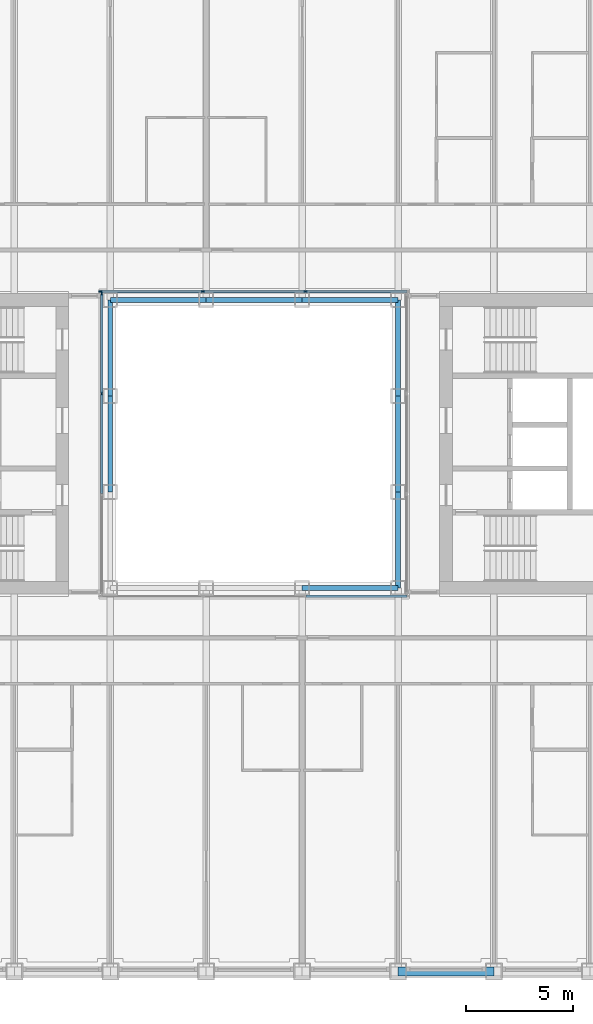
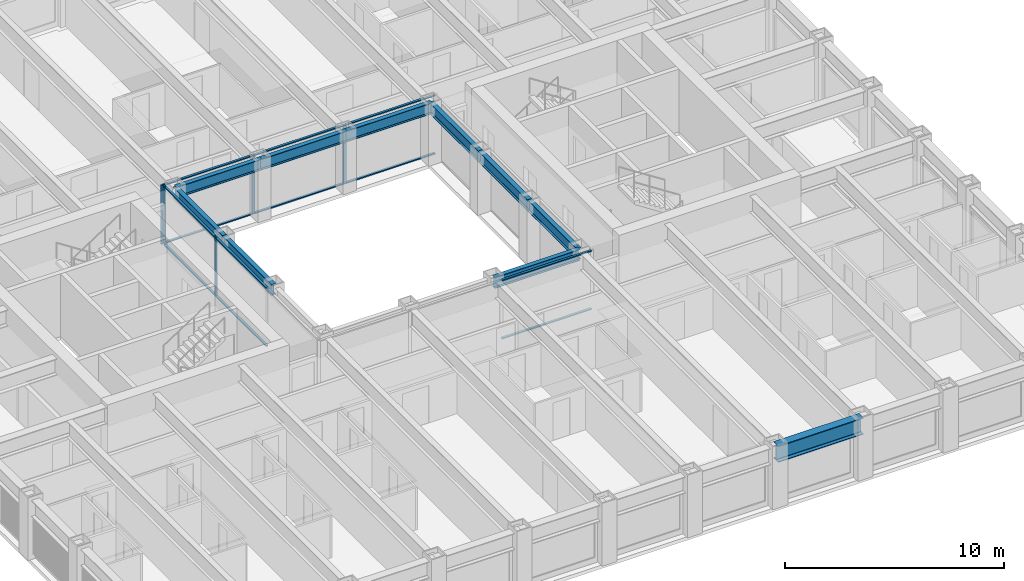
# One storey, part 4 of 21: 17 members, 10 beams, 3 elements without a shape of their own.
"""IFC4 building model written with IfcOpenShell, lengths in metres."""

from ifc_helpers import new_model, si_unit, direction, frame, origin, origin_2d, place, context, subcontext, project, spatial, rectangle, i_section, extrude, material, material_profile, profile_set, type_object, element, aggregate, save


model = new_model("IFC4")

# Units and contexts
model_context = context("Model", 3, precision=1e-05, world=origin(), true_north=direction((0.0, 1.0)))
body_context = subcontext(model_context, "Body", "Model", "MODEL_VIEW")
ifc_project = project(units=[si_unit("LENGTHUNIT", "METRE"), si_unit("AREAUNIT", "SQUARE_METRE"), si_unit("VOLUMEUNIT", "CUBIC_METRE"), si_unit("PLANEANGLEUNIT", "RADIAN"), si_unit("MASSUNIT", "GRAM", prefix="KILO")], contexts=[model_context])

# Site, building, storey
site_placement = place(None, origin())
site = spatial("IfcSite", under=ifc_project, at=site_placement, CompositionType="ELEMENT")
building_placement = place(site_placement, origin())
building = spatial("IfcBuilding", under=site, at=building_placement, Name="Msasa Ring Tower", CompositionType="ELEMENT")
storey_placement = place(building_placement, frame((0.0, 0.0, 86.0)))
storey = spatial("IfcBuildingStorey", under=building, at=storey_placement, Name="L22", CompositionType="ELEMENT", Elevation=86.0)

# Curtain wall, members
ifc_material_1 = material(Name="Aluminium curtain wall with clear glass", Category="aluminium")
curtain_wall_type = type_object("IfcCurtainWallType", Name="CW-W LIGHT WELL CURTAIN WALL", PredefinedType="NOTDEFINED", material=ifc_material_1)
curtain_wall_1_placement = place(storey_placement, origin())
curtain_wall_1 = element("IfcCurtainWall", 1, at=curtain_wall_1_placement, inside=storey, type_object=curtain_wall_type, Name="Light well curtain wall N L22", PredefinedType="NOTDEFINED")
ifc_material_2 = material(Name="Aluminium mullion", Category="aluminium")
ifc_material_profile_1 = material_profile(ifc_material_2, rectangle(XDim=0.06005859375, YDim=0.159912109375, at=origin_2d()), Name="AL 60x160")
ifc_profile_set_1 = profile_set([ifc_material_profile_1], Name="Aluminium mullion")
member_type_1 = type_object("IfcMemberType", Name="CW-W MULLION 60x160", PredefinedType="MULLION", material=ifc_profile_set_1)
member_1_placement = place(storey_placement, frame((-7.199951171875, 7.14990234375, 0.0), z_axis=(0.0, 0.0, 1.0), x_axis=(0.0, 1.0, 0.0)))
member_1 = element("IfcMember", 2, at=member_1_placement, type_object=member_type_1, Name="CW-W mullion 1", PredefinedType="MULLION", context=body_context, shape_type="SweptSolid", body=[
    extrude(rectangle(XDim=0.06005859375, YDim=0.159912109375, at=origin_2d()), origin(), (0.0, 0.0, 1.0), 3.300048828125),
])
member_2_placement = place(storey_placement, frame((-2.409912109375, 7.14990234375, 0.0), z_axis=(0.0, 0.0, 1.0), x_axis=(0.0, 1.0, 0.0)))
member_2 = element("IfcMember", 3, at=member_2_placement, type_object=member_type_1, Name="CW-W mullion 2", PredefinedType="MULLION", context=body_context, shape_type="SweptSolid", body=[
    extrude(rectangle(XDim=0.06005859375, YDim=0.159912109375, at=origin_2d()), origin(), (0.0, 0.0, 1.0), 3.300048828125),
])
member_3_placement = place(storey_placement, frame((2.409912109375, 7.14990234375, 0.0), z_axis=(0.0, 0.0, 1.0), x_axis=(0.0, 1.0, 0.0)))
member_3 = element("IfcMember", 4, at=member_3_placement, type_object=member_type_1, Name="CW-W mullion 3", PredefinedType="MULLION", context=body_context, shape_type="SweptSolid", body=[
    extrude(rectangle(XDim=0.06005859375, YDim=0.159912109375, at=origin_2d()), origin(), (0.0, 0.0, 1.0), 3.300048828125),
])

curtain_wall_2_placement = place(storey_placement, origin())
curtain_wall_2 = element("IfcCurtainWall", 5, at=curtain_wall_2_placement, inside=storey, type_object=curtain_wall_type, Name="Light well curtain wall W L22", PredefinedType="NOTDEFINED")
member_4_placement = place(storey_placement, frame((-7.14990234375, 2.356689453125, 0.0), z_axis=(0.0, 0.0, 1.0), x_axis=(-1.0, 0.0, 0.0)))
member_4 = element("IfcMember", 6, at=member_4_placement, type_object=member_type_1, Name="CW-W mullion 3", PredefinedType="MULLION", context=body_context, shape_type="SweptSolid", body=[
    extrude(rectangle(XDim=0.06005859375, YDim=0.159912109375, at=origin_2d()), origin(), (0.0, 0.0, 1.0), 3.300048828125),
])
member_5_placement = place(storey_placement, frame((-7.14990234375, 7.0400390625, 0.0), z_axis=(0.0, 0.0, 1.0), x_axis=(-1.0, 0.0, 0.0)))
member_5 = element("IfcMember", 7, at=member_5_placement, type_object=member_type_1, Name="CW-W mullion 4", PredefinedType="MULLION", context=body_context, shape_type="SweptSolid", body=[
    extrude(rectangle(XDim=0.06005859375, YDim=0.159912109375, at=origin_2d()), origin(), (0.0, 0.0, 1.0), 3.300048828125),
])

# Member
ifc_material_3 = material(Name="Aluminium transom", Category="aluminium")
ifc_material_profile_2 = material_profile(ifc_material_3, rectangle(XDim=0.1201171875, YDim=0.06005859375, at=origin_2d()), Name="AL 60x120")
ifc_profile_set_2 = profile_set([ifc_material_profile_2], Name="Aluminium transom")
member_type_2 = type_object("IfcMemberType", Name="CW-W TRANSOM 60x120", PredefinedType="USERDEFINED", material=ifc_profile_set_2)
member_6_placement = place(storey_placement, frame((-7.169921875, 7.14990234375, 0.030029296875), z_axis=(1.0, 0.0, 0.0), x_axis=(0.0, 1.0, 0.0)))
member_6 = element("IfcMember", 8, at=member_6_placement, type_object=member_type_2, Name="CW-W transom 1.1", ObjectType="TRANSOM", PredefinedType="USERDEFINED", context=body_context, shape_type="SweptSolid", body=[
    extrude(rectangle(XDim=0.1201171875, YDim=0.06005859375, at=origin_2d()), origin(), (0.0, 0.0, 1.0), 4.72998046875),
])

member_7_placement = place(storey_placement, frame((-7.169921875, 7.14990234375, 3.27001953125), z_axis=(1.0, 0.0, 0.0), x_axis=(0.0, 1.0, 0.0)))
member_7 = element("IfcMember", 9, at=member_7_placement, type_object=member_type_2, Name="CW-W transom 1.2", ObjectType="TRANSOM", PredefinedType="USERDEFINED", context=body_context, shape_type="SweptSolid", body=[
    extrude(rectangle(XDim=0.1201171875, YDim=0.06005859375, at=origin_2d()), origin(), (0.0, 0.0, 1.0), 4.72998046875),
])

member_8_placement = place(storey_placement, frame((-2.3798828125, 7.14990234375, 0.030029296875), z_axis=(1.0, 0.0, 0.0), x_axis=(0.0, 1.0, 0.0)))
member_8 = element("IfcMember", 10, at=member_8_placement, type_object=member_type_2, Name="CW-W transom 2.1", ObjectType="TRANSOM", PredefinedType="USERDEFINED", context=body_context, shape_type="SweptSolid", body=[
    extrude(rectangle(XDim=0.1201171875, YDim=0.06005859375, at=origin_2d()), origin(), (0.0, 0.0, 1.0), 4.759765625),
])

member_9_placement = place(storey_placement, frame((-2.3798828125, 7.14990234375, 3.27001953125), z_axis=(1.0, 0.0, 0.0), x_axis=(0.0, 1.0, 0.0)))
member_9 = element("IfcMember", 11, at=member_9_placement, type_object=member_type_2, Name="CW-W transom 2.2", ObjectType="TRANSOM", PredefinedType="USERDEFINED", context=body_context, shape_type="SweptSolid", body=[
    extrude(rectangle(XDim=0.1201171875, YDim=0.06005859375, at=origin_2d()), origin(), (0.0, 0.0, 1.0), 4.759765625),
])

member_10_placement = place(storey_placement, frame((2.43994140625, 7.14990234375, 0.030029296875), z_axis=(1.0, 0.0, 0.0), x_axis=(0.0, 1.0, 0.0)))
member_10 = element("IfcMember", 12, at=member_10_placement, type_object=member_type_2, Name="CW-W transom 3.1", ObjectType="TRANSOM", PredefinedType="USERDEFINED", context=body_context, shape_type="SweptSolid", body=[
    extrude(rectangle(XDim=0.1201171875, YDim=0.06005859375, at=origin_2d()), origin(), (0.0, 0.0, 1.0), 4.72998046875),
])

member_11_placement = place(storey_placement, frame((2.43994140625, 7.14990234375, 3.27001953125), z_axis=(1.0, 0.0, 0.0), x_axis=(0.0, 1.0, 0.0)))
member_11 = element("IfcMember", 13, at=member_11_placement, type_object=member_type_2, Name="CW-W transom 3.2", ObjectType="TRANSOM", PredefinedType="USERDEFINED", context=body_context, shape_type="SweptSolid", body=[
    extrude(rectangle(XDim=0.1201171875, YDim=0.06005859375, at=origin_2d()), origin(), (0.0, 0.0, 1.0), 4.72998046875),
])

aggregate(curtain_wall_1, [member_1, member_2, member_3, member_6, member_7, member_8, member_9, member_10, member_11])

# Curtain wall, members
curtain_wall_3_placement = place(storey_placement, origin())
curtain_wall_3 = element("IfcCurtainWall", 14, at=curtain_wall_3_placement, inside=storey, type_object=curtain_wall_type, Name="Light well curtain wall S L22", PredefinedType="NOTDEFINED")
member_12_placement = place(storey_placement, frame((2.43994140625, -7.14990234375, 0.030029296875), z_axis=(1.0, 0.0, 0.0), x_axis=(0.0, 1.0, 0.0)))
member_12 = element("IfcMember", 15, at=member_12_placement, type_object=member_type_2, Name="CW-W transom 3.1", ObjectType="TRANSOM", PredefinedType="USERDEFINED", context=body_context, shape_type="SweptSolid", body=[
    extrude(rectangle(XDim=0.1201171875, YDim=0.06005859375, at=origin_2d()), origin(), (0.0, 0.0, 1.0), 4.72998046875),
])
member_13_placement = place(storey_placement, frame((2.43994140625, -7.14990234375, 3.27001953125), z_axis=(1.0, 0.0, 0.0), x_axis=(0.0, 1.0, 0.0)))
member_13 = element("IfcMember", 16, at=member_13_placement, type_object=member_type_2, Name="CW-W transom 3.2", ObjectType="TRANSOM", PredefinedType="USERDEFINED", context=body_context, shape_type="SweptSolid", body=[
    extrude(rectangle(XDim=0.1201171875, YDim=0.06005859375, at=origin_2d()), origin(), (0.0, 0.0, 1.0), 4.72998046875),
])
aggregate(curtain_wall_3, [member_12, member_13])

# Member
member_14_placement = place(storey_placement, frame((-7.14990234375, -2.32666015625, 0.030029296875), z_axis=(0.0, 1.0, 0.0), x_axis=(-1.0, 0.0, 0.0)))
member_14 = element("IfcMember", 17, at=member_14_placement, type_object=member_type_2, Name="CW-W transom 2.1", ObjectType="TRANSOM", PredefinedType="USERDEFINED", context=body_context, shape_type="SweptSolid", body=[
    extrude(rectangle(XDim=0.1201171875, YDim=0.06005859375, at=origin_2d()), origin(), (0.0, 0.0, 1.0), 4.6533203125),
])

member_15_placement = place(storey_placement, frame((-7.14990234375, -2.32666015625, 3.27001953125), z_axis=(0.0, 1.0, 0.0), x_axis=(-1.0, 0.0, 0.0)))
member_15 = element("IfcMember", 18, at=member_15_placement, type_object=member_type_2, Name="CW-W transom 2.2", ObjectType="TRANSOM", PredefinedType="USERDEFINED", context=body_context, shape_type="SweptSolid", body=[
    extrude(rectangle(XDim=0.1201171875, YDim=0.06005859375, at=origin_2d()), origin(), (0.0, 0.0, 1.0), 4.6533203125),
])

member_16_placement = place(storey_placement, frame((-7.14990234375, 2.38671875, 0.030029296875), z_axis=(0.0, 1.0, 0.0), x_axis=(-1.0, 0.0, 0.0)))
member_16 = element("IfcMember", 19, at=member_16_placement, type_object=member_type_2, Name="CW-W transom 3.1", ObjectType="TRANSOM", PredefinedType="USERDEFINED", context=body_context, shape_type="SweptSolid", body=[
    extrude(rectangle(XDim=0.1201171875, YDim=0.06005859375, at=origin_2d()), origin(), (0.0, 0.0, 1.0), 4.623291015625),
])

member_17_placement = place(storey_placement, frame((-7.14990234375, 2.38671875, 3.27001953125), z_axis=(0.0, 1.0, 0.0), x_axis=(-1.0, 0.0, 0.0)))
member_17 = element("IfcMember", 20, at=member_17_placement, type_object=member_type_2, Name="CW-W transom 3.2", ObjectType="TRANSOM", PredefinedType="USERDEFINED", context=body_context, shape_type="SweptSolid", body=[
    extrude(rectangle(XDim=0.1201171875, YDim=0.06005859375, at=origin_2d()), origin(), (0.0, 0.0, 1.0), 4.623291015625),
])

aggregate(curtain_wall_2, [member_4, member_5, member_14, member_15, member_16, member_17])

# Beams
ifc_material_4 = material(Name="Steel S355", Category="steel")
ifc_material_profile_3 = material_profile(ifc_material_4, i_section(OverallWidth=0.230224609375, OverallDepth=0.6171875, WebThickness=0.01318359375, FlangeThickness=0.022216796875, FilletRadius=0.0126953125, at=origin_2d()), Name="UB 610x229x140")
ifc_profile_set_3 = profile_set([ifc_material_profile_3], Name="Steel S355")
beam_type_1 = type_object("IfcBeamType", Name="RB1 UB 610x229x140", PredefinedType="BEAM", material=ifc_profile_set_3)
for number, where, z_axis, x_axis, name in (
    (21, (2.25, -6.75, 2.991455078125), (1.0, 0.0, 0.0), (0.0, 1.0, 0.0), "Inner ring beam IR+2.25-6.75 under L23"),
    (22, (6.75, -6.75, 2.991455078125), (0.0, 1.0, 0.0), (-1.0, 0.0, 0.0), "Inner ring beam IR+6.75-6.75 under L23"),
    (23, (6.75, -2.25, 2.991455078125), (0.0, 1.0, 0.0), (-1.0, 0.0, 0.0), "Inner ring beam IR+6.75-2.25 under L23"),
    (24, (6.75, 2.25, 2.991455078125), (0.0, 1.0, 0.0), (-1.0, 0.0, 0.0), "Inner ring beam IR+6.75+2.25 under L23"),
    (25, (6.75, 6.75, 2.991455078125), (-1.0, 0.0, 0.0), (0.0, -1.0, 0.0), "Inner ring beam IR+6.75+6.75 under L23"),
    (26, (2.25, 6.75, 2.991455078125), (-1.0, 0.0, 0.0), (0.0, -1.0, 0.0), "Inner ring beam IR+2.25+6.75 under L23"),
    (27, (-2.25, 6.75, 2.991455078125), (-1.0, 0.0, 0.0), (0.0, -1.0, 0.0), "Inner ring beam IR-2.25+6.75 under L23"),
    (28, (-6.75, 6.75, 2.991455078125), (0.0, -1.0, 0.0), (1.0, 0.0, 0.0), "Inner ring beam IR-6.75+6.75 under L23"),
    (29, (-6.75, 2.25, 2.991455078125), (0.0, -1.0, 0.0), (1.0, 0.0, 0.0), "Inner ring beam IR-6.75+2.25 under L23"),
):
    element("IfcBeam", number, at=place(storey_placement, frame(where, z_axis=z_axis, x_axis=x_axis)), inside=storey, type_object=beam_type_1, Name=name, PredefinedType="BEAM", context=body_context, shape_type="SweptSolid", body=[
        extrude(i_section(OverallWidth=0.230224609375, OverallDepth=0.6171875, WebThickness=0.01318359375, FlangeThickness=0.022216796875, FilletRadius=0.0126953125, at=origin_2d()), origin(), (0.0, 0.0, 1.0), 4.5),
    ])
ifc_material_5 = material(Name="Steel S355", Category="steel")
ifc_material_profile_4 = material_profile(ifc_material_5, i_section(OverallWidth=0.42041015625, OverallDepth=0.9208984375, WebThickness=0.021484375, FlangeThickness=0.03662109375, FilletRadius=0.024169921875, at=origin_2d()), Name="UB 914x419x388")
ifc_profile_set_4 = profile_set([ifc_material_profile_4], Name="Steel S355")
beam_type_2 = type_object("IfcBeamType", Name="SB1 UB 914x419x388", PredefinedType="SPANDREL", material=ifc_profile_set_4)
beam_placement = place(storey_placement, frame((6.75, -24.75, 2.839599609375), z_axis=(1.0, 0.0, 0.0), x_axis=(0.0, 1.0, 0.0)))
element("IfcBeam", 30, at=beam_placement, inside=storey, type_object=beam_type_2, Name="Spandrel S+6.75 to S+11.25 under L23", PredefinedType="SPANDREL", context=body_context, shape_type="SweptSolid", body=[
    extrude(i_section(OverallWidth=0.42041015625, OverallDepth=0.9208984375, WebThickness=0.021484375, FlangeThickness=0.03662109375, FilletRadius=0.024169921875, at=origin_2d()), origin(), (0.0, 0.0, 1.0), 4.5),
])

save(model, "model.ifc")
